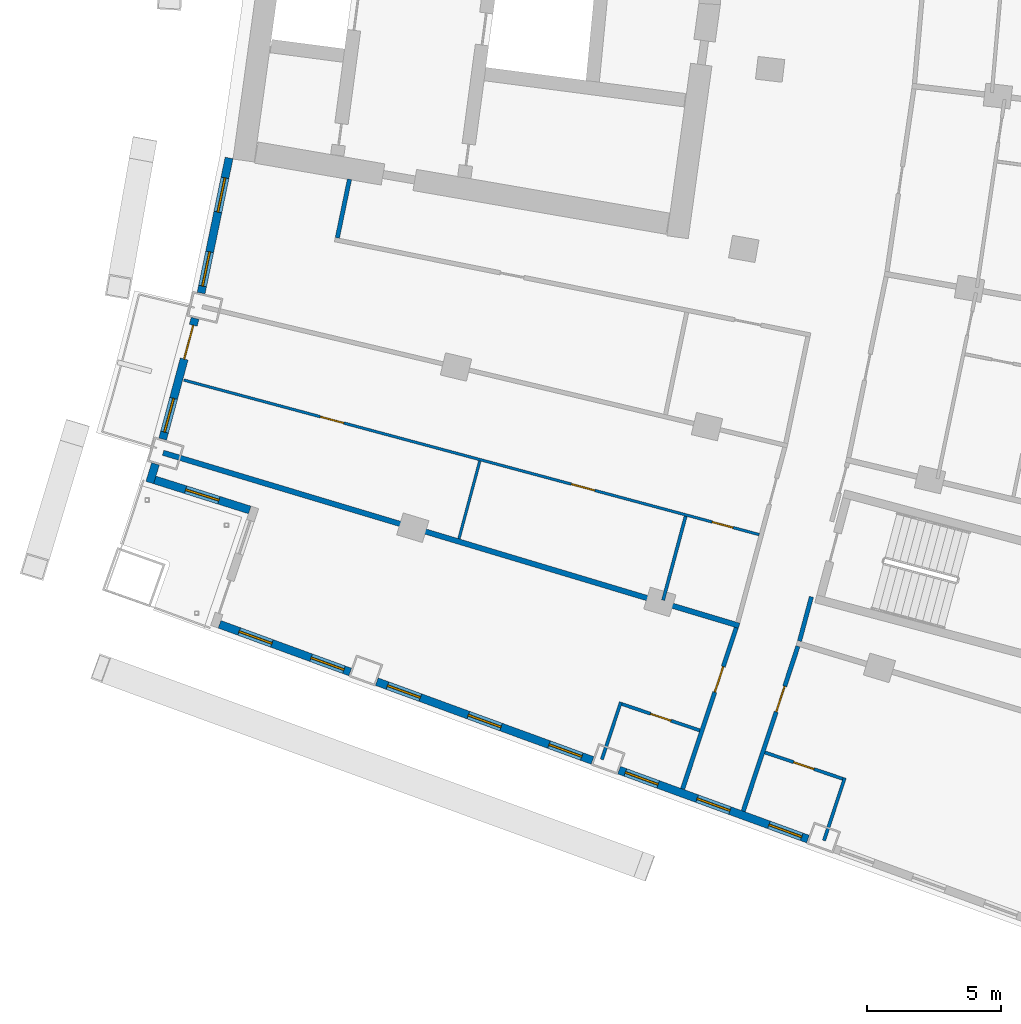
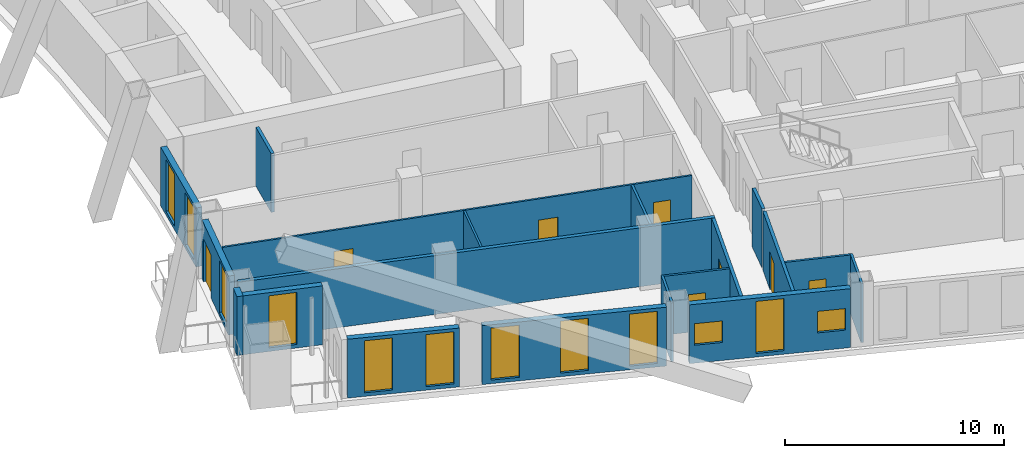
# One storey, part 13 of 25: 19 walls, 12 windows, 8 doors, 20 openings.
"""IFC4 building model written with IfcOpenShell, lengths in metres."""

from ifc_helpers import new_model, si_unit, direction, frame, frame_2d, origin, place, context, subcontext, project, spatial, rectangle, extrude, material, layer, layer_set, type_object, element, fill, save


model = new_model("IFC4")

# Units and contexts
model_context = context("Model", 3, precision=1e-05, world=origin(), true_north=direction((0.0, 1.0)))
body_context = subcontext(model_context, "Body", "Model", "MODEL_VIEW")
ifc_project = project(units=[si_unit("LENGTHUNIT", "METRE"), si_unit("AREAUNIT", "SQUARE_METRE"), si_unit("VOLUMEUNIT", "CUBIC_METRE"), si_unit("PLANEANGLEUNIT", "RADIAN"), si_unit("MASSUNIT", "GRAM", prefix="KILO")], contexts=[model_context])

# Site, building, storey
site_placement = place(None, origin())
site = spatial("IfcSite", under=ifc_project, at=site_placement, CompositionType="ELEMENT")
building_placement = place(site_placement, origin())
building = spatial("IfcBuilding", under=site, at=building_placement, Name="Alderwake Tower", CompositionType="ELEMENT")
storey_placement = place(building_placement, frame((0.0, 0.0, 93.199951171875)))
storey = spatial("IfcBuildingStorey", under=building, at=storey_placement, Name="L22", CompositionType="ELEMENT", Elevation=93.199951171875)

# Wall
ifc_material_1 = material(Name="Gypsum board on metal studs, rated")
ifc_layer_1 = layer(ifc_material_1, 0.159912109375)
ifc_layer_set_1 = layer_set([ifc_layer_1], Name="Corridor wall 160")
wall_type_1 = type_object("IfcWallType", Name="Corridor wall 160", PredefinedType="PARTITIONING", material=ifc_layer_set_1)
wall_1_placement = place(storey_placement, frame((19.35888671875, 43.430908203125, 0.0), z_axis=(0.0, 0.0, 1.0), x_axis=(-0.202554916658, -0.979270905183, 0.0)))
element("IfcWall", 1, at=wall_1_placement, inside=storey, type_object=wall_type_1, Name="WL/L22/W22", PredefinedType="PARTITIONING", context=body_context, shape_type="SweptSolid", body=[
    extrude(rectangle(XDim=2.229736328125, YDim=0.159912109375, at=frame_2d((1.11474609375, 0.0))), origin(), (0.0, 0.0, 1.0), 3.280029296875),
])

# Wall, opening, door
wall_2_placement = place(storey_placement, frame((31.7548828125, 20.739013671875, 0.0), z_axis=(0.0, 0.0, 1.0), x_axis=(0.31554473692, 0.948910701279, 0.0)))
wall_2 = element("IfcWall", 2, at=wall_2_placement, inside=storey, type_object=wall_type_1, Name="WL/L22/W24", PredefinedType="PARTITIONING", context=body_context, shape_type="SweptSolid", body=[
    extrude(rectangle(XDim=6.327392578125, YDim=0.159912109375, at=frame_2d((3.16357421875, 0.0))), origin(), (0.0, 0.0, 1.0), 3.280029296875),
])
opening_1_placement = place(wall_2_placement, frame((3.799072265625, 0.0, 0.0)))
opening_1 = element("IfcOpeningElement", 3, at=opening_1_placement, cuts=wall_2, Name="Opening R06-U12.1", PredefinedType="OPENING", context=body_context, shape_type="SweptSolid", body=[
    extrude(rectangle(XDim=1.0, YDim=2.10009765625, at=frame_2d((0.5, 1.050048828125))), frame((0.0, 0.08984375, 0.0), z_axis=(0.0, -1.0, 0.0), x_axis=(1.0, 0.0, 0.0)), (0.0, 0.0, 1.0), 0.179931640625),
])
ifc_material_2 = material(Name="Solid timber leaf in steel frame", Category="steel")
door_type_1 = type_object("IfcDoorType", Name="Flat entrance door 1000 fire-rated", OperationType="SINGLE_SWING_LEFT", PredefinedType="DOOR", material=ifc_material_2)
door_1_placement = place(opening_1_placement, origin())
door_1 = element("IfcDoor", 4, at=door_1_placement, inside=storey, type_object=door_type_1, Name="DR/L22/U12.1", OperationType="SINGLE_SWING_LEFT", OverallHeight=2.10009765625, OverallWidth=1.0, PredefinedType="DOOR", context=body_context, shape_type="SweptSolid", body=[
    extrude(rectangle(XDim=1.0, YDim=2.10009765625, at=frame_2d((0.5, 1.050048828125))), frame((0.0, 0.02490234375, 0.0), z_axis=(0.0, -1.0, 0.0), x_axis=(1.0, 0.0, 0.0)), (0.0, 0.0, 1.0), 0.050048828125),
])
fill(opening_1, door_1)

wall_3_placement = place(storey_placement, frame((36.049560546875, 26.052978515625, 0.0), z_axis=(0.0, 0.0, 1.0), x_axis=(-0.315151894598, -0.949041244273, 0.0)))
wall_3 = element("IfcWall", 5, at=wall_3_placement, inside=storey, type_object=wall_type_1, Name="WL/L22/W27", PredefinedType="PARTITIONING", context=body_context, shape_type="SweptSolid", body=[
    extrude(rectangle(XDim=6.468505859375, YDim=0.159912109375, at=frame_2d((3.234375, 0.0))), origin(), (0.0, 0.0, 1.0), 3.280029296875),
])
opening_2_placement = place(wall_3_placement, frame((1.570068359375, 0.0, 0.0)))
opening_2 = element("IfcOpeningElement", 6, at=opening_2_placement, cuts=wall_3, Name="Opening R06-U03.1", PredefinedType="OPENING", context=body_context, shape_type="SweptSolid", body=[
    extrude(rectangle(XDim=1.0, YDim=2.10009765625, at=frame_2d((0.5, 1.050048828125))), frame((0.0, 0.08984375, 0.0), z_axis=(0.0, -1.0, 0.0), x_axis=(1.0, 0.0, 0.0)), (0.0, 0.0, 1.0), 0.179931640625),
])
door_2_placement = place(opening_2_placement, origin())
door_2 = element("IfcDoor", 7, at=door_2_placement, inside=storey, type_object=door_type_1, Name="DR/L22/U03.1", OperationType="SINGLE_SWING_LEFT", OverallHeight=2.10009765625, OverallWidth=1.0, PredefinedType="DOOR", context=body_context, shape_type="SweptSolid", body=[
    extrude(rectangle(XDim=1.0, YDim=2.10009765625, at=frame_2d((0.5, 1.050048828125))), frame((0.0, 0.02490234375, 0.0), z_axis=(0.0, -1.0, 0.0), x_axis=(1.0, 0.0, 0.0)), (0.0, 0.0, 1.0), 0.050048828125),
])
fill(opening_2, door_2)

# Walls
wall_4_placement = place(storey_placement, frame((36.10693359375, 26.24462890625, 0.0), z_axis=(0.0, 0.0, 1.0), x_axis=(0.259346865847, 0.965784242559, 0.0)))
element("IfcWall", 8, at=wall_4_placement, inside=storey, type_object=wall_type_1, Name="WL/L22/W29", PredefinedType="PARTITIONING", context=body_context, shape_type="SweptSolid", body=[
    extrude(rectangle(XDim=1.704833984375, YDim=0.159912109375, at=frame_2d((0.8525390625, 0.0))), origin(), (0.0, 0.0, 1.0), 3.280029296875),
])
ifc_material_3 = material(Name="Precast concrete C50/60 spandrel panel", Category="concrete")
ifc_layer_2 = layer(ifc_material_3, 0.300048828125)
ifc_layer_set_2 = layer_set([ifc_layer_2], Name="External wall EW1 Precast concrete C50/60 spandrel")
wall_type_2 = type_object("IfcWallType", Name="External wall EW1 Precast concrete C50/60 spandrel", PredefinedType="SOLIDWALL", material=ifc_layer_set_2)
wall_5_placement = place(storey_placement, frame((12.14013671875, 32.83837890625, 0.0), z_axis=(0.0, 0.0, 1.0), x_axis=(-0.294604532955, -0.955619259518, 0.0)))
element("IfcWall", 9, at=wall_5_placement, inside=storey, type_object=wall_type_2, Name="External wall 1", PredefinedType="SOLIDWALL", context=body_context, shape_type="SweptSolid", body=[
    extrude(rectangle(XDim=0.7275390625, YDim=0.300048828125, at=frame_2d((0.36376953125, 0.0))), origin(), (0.0, 0.0, 1.0), 3.280029296875),
])

# Wall, openings, windows
wall_6_placement = place(storey_placement, frame((14.878173828125, 44.223388671875, 0.0), z_axis=(0.0, 0.0, 1.0), x_axis=(-0.202723539143, -0.979236011734, 0.0)))
wall_6 = element("IfcWall", 10, at=wall_6_placement, inside=storey, type_object=wall_type_2, Name="External wall 35", PredefinedType="SOLIDWALL", context=body_context, shape_type="SweptSolid", body=[
    extrude(rectangle(XDim=5.134033203125, YDim=0.300048828125, at=frame_2d((2.56689453125, 0.0))), origin(), (0.0, 0.0, 1.0), 3.280029296875),
])
opening_3_placement = place(wall_6_placement, frame((0.75634765625, 0.0, 0.199951171875)))
opening_3 = element("IfcOpeningElement", 11, at=opening_3_placement, cuts=wall_6, Name="Opening W1", PredefinedType="OPENING", context=body_context, shape_type="SweptSolid", body=[
    extrude(rectangle(XDim=1.300048828125, YDim=2.89990234375, at=frame_2d((0.64990234375, 1.449951171875))), frame((0.0, 0.159912109375, 0.0), z_axis=(0.0, -1.0, 0.0), x_axis=(1.0, 0.0, 0.0)), (0.0, 0.0, 1.0), 0.320068359375),
])
opening_4_placement = place(wall_6_placement, frame((3.569091796875, 0.0, 0.199951171875)))
opening_4 = element("IfcOpeningElement", 12, at=opening_4_placement, cuts=wall_6, Name="Opening W1", PredefinedType="OPENING", context=body_context, shape_type="SweptSolid", body=[
    extrude(rectangle(XDim=1.300048828125, YDim=2.89990234375, at=frame_2d((0.64990234375, 1.449951171875))), frame((0.0, 0.159912109375, 0.0), z_axis=(0.0, -1.0, 0.0), x_axis=(1.0, 0.0, 0.0)), (0.0, 0.0, 1.0), 0.320068359375),
])
ifc_material_4 = material(Name="Bronze tinted glass in aluminium frame", Category="aluminium")
window_type_1 = type_object("IfcWindowType", Name="Window W1 tall fixed and vent", PartitioningType="DOUBLE_PANEL_VERTICAL", PredefinedType="WINDOW", material=ifc_material_4)
window_1_placement = place(opening_3_placement, origin())
window_1 = element("IfcWindow", 13, at=window_1_placement, inside=storey, type_object=window_type_1, Name="Window W1 tall fixed and vent", OverallHeight=2.89990234375, OverallWidth=1.300048828125, PartitioningType="DOUBLE_PANEL_VERTICAL", PredefinedType="WINDOW", context=body_context, shape_type="SweptSolid", body=[
    extrude(rectangle(XDim=1.300048828125, YDim=2.89990234375, at=frame_2d((0.64990234375, 1.449951171875))), frame((0.0, 0.030029296875, 0.0), z_axis=(0.0, -1.0, 0.0), x_axis=(1.0, 0.0, 0.0)), (0.0, 0.0, 1.0), 0.06005859375),
])
fill(opening_3, window_1)
window_2_placement = place(opening_4_placement, origin())
window_2 = element("IfcWindow", 14, at=window_2_placement, inside=storey, type_object=window_type_1, Name="Window W1 tall fixed and vent", OverallHeight=2.89990234375, OverallWidth=1.300048828125, PartitioningType="DOUBLE_PANEL_VERTICAL", PredefinedType="WINDOW", context=body_context, shape_type="SweptSolid", body=[
    extrude(rectangle(XDim=1.300048828125, YDim=2.89990234375, at=frame_2d((0.64990234375, 1.449951171875))), frame((0.0, 0.030029296875, 0.0), z_axis=(0.0, -1.0, 0.0), x_axis=(1.0, 0.0, 0.0)), (0.0, 0.0, 1.0), 0.06005859375),
])
fill(opening_4, window_2)

# Wall, openings, door, window
wall_7_placement = place(storey_placement, frame((13.61328125, 38.254150390625, 0.0), z_axis=(0.0, 0.0, 1.0), x_axis=(-0.259468933642, -0.965751454814, 0.0)))
wall_7 = element("IfcWall", 15, at=wall_7_placement, inside=storey, type_object=wall_type_2, Name="External wall 36", PredefinedType="SOLIDWALL", context=body_context, shape_type="SweptSolid", body=[
    extrude(rectangle(XDim=4.65087890625, YDim=0.300048828125, at=frame_2d((2.325439453125, 0.0))), origin(), (0.0, 0.0, 1.0), 3.280029296875),
])
opening_5_placement = place(wall_7_placement, frame((0.26708984375, 0.0, 0.0)))
opening_5 = element("IfcOpeningElement", 16, at=opening_5_placement, cuts=wall_7, Name="Opening D15", PredefinedType="OPENING", context=body_context, shape_type="SweptSolid", body=[
    extrude(rectangle(XDim=1.300048828125, YDim=2.39990234375, at=frame_2d((0.64990234375, 1.199951171875))), frame((0.0, 0.159912109375, 0.0), z_axis=(0.0, -1.0, 0.0), x_axis=(1.0, 0.0, 0.0)), (0.0, 0.0, 1.0), 0.320068359375),
])
opening_6_placement = place(wall_7_placement, frame((3.083984375, 0.0, 0.199951171875)))
opening_6 = element("IfcOpeningElement", 17, at=opening_6_placement, cuts=wall_7, Name="Opening W1", PredefinedType="OPENING", context=body_context, shape_type="SweptSolid", body=[
    extrude(rectangle(XDim=1.300048828125, YDim=2.89990234375, at=frame_2d((0.64990234375, 1.449951171875))), frame((0.0, 0.159912109375, 0.0), z_axis=(0.0, -1.0, 0.0), x_axis=(1.0, 0.0, 0.0)), (0.0, 0.0, 1.0), 0.320068359375),
])
ifc_material_5 = material(Name="Bronze tinted glass in aluminium frame", Category="aluminium")
door_type_2 = type_object("IfcDoorType", Name="Balcony door BD sliding", OperationType="SLIDING_TO_LEFT", PredefinedType="DOOR", material=ifc_material_5)
door_3_placement = place(opening_5_placement, origin())
door_3 = element("IfcDoor", 18, at=door_3_placement, inside=storey, type_object=door_type_2, Name="Door D15", OperationType="SLIDING_TO_LEFT", OverallHeight=2.39990234375, OverallWidth=1.300048828125, PredefinedType="DOOR", context=body_context, shape_type="SweptSolid", body=[
    extrude(rectangle(XDim=1.300048828125, YDim=2.39990234375, at=frame_2d((0.64990234375, 1.199951171875))), frame((0.0, 0.02490234375, 0.0), z_axis=(0.0, -1.0, 0.0), x_axis=(1.0, 0.0, 0.0)), (0.0, 0.0, 1.0), 0.050048828125),
])
fill(opening_5, door_3)
window_3_placement = place(opening_6_placement, origin())
window_3 = element("IfcWindow", 19, at=window_3_placement, inside=storey, type_object=window_type_1, Name="Window W1 tall fixed and vent", OverallHeight=2.89990234375, OverallWidth=1.300048828125, PartitioningType="DOUBLE_PANEL_VERTICAL", PredefinedType="WINDOW", context=body_context, shape_type="SweptSolid", body=[
    extrude(rectangle(XDim=1.300048828125, YDim=2.89990234375, at=frame_2d((0.64990234375, 1.449951171875))), frame((0.0, 0.030029296875, 0.0), z_axis=(0.0, -1.0, 0.0), x_axis=(1.0, 0.0, 0.0)), (0.0, 0.0, 1.0), 0.06005859375),
])
fill(opening_6, window_3)

# Wall, opening, window
ifc_material_6 = material(Name="Bronze metal cladding on lightweight framing")
ifc_layer_3 = layer(ifc_material_6, 0.300048828125)
ifc_layer_set_3 = layer_set([ifc_layer_3], Name="External wall EW2 bronze metal cladding")
wall_type_3 = type_object("IfcWallType", Name="External wall EW2 bronze metal cladding", PredefinedType="SOLIDWALL", material=ifc_layer_set_3)
wall_8_placement = place(storey_placement, frame((12.113037109375, 32.2412109375, 0.0), z_axis=(0.0, 0.0, 1.0), x_axis=(0.953458128271, -0.301525451054, 0.0)))
wall_8 = element("IfcWall", 20, at=wall_8_placement, inside=storey, type_object=wall_type_3, Name="External wall 2", PredefinedType="SOLIDWALL", context=body_context, shape_type="SweptSolid", body=[
    extrude(rectangle(XDim=3.705810546875, YDim=0.300048828125, at=frame_2d((1.85302734375, 0.0))), origin(), (0.0, 0.0, 1.0), 3.280029296875),
])
opening_7_placement = place(wall_8_placement, frame((1.202880859375, 0.0, 0.199951171875)))
opening_7 = element("IfcOpeningElement", 21, at=opening_7_placement, cuts=wall_8, Name="Opening W1", PredefinedType="OPENING", context=body_context, shape_type="SweptSolid", body=[
    extrude(rectangle(XDim=1.300048828125, YDim=2.89990234375, at=frame_2d((0.64990234375, 1.449951171875))), frame((0.0, 0.159912109375, 0.0), z_axis=(0.0, -1.0, 0.0), x_axis=(1.0, 0.0, 0.0)), (0.0, 0.0, 1.0), 0.320068359375),
])
window_4_placement = place(opening_7_placement, origin())
window_4 = element("IfcWindow", 22, at=window_4_placement, inside=storey, type_object=window_type_1, Name="Window W1 tall fixed and vent", OverallHeight=2.89990234375, OverallWidth=1.300048828125, PartitioningType="DOUBLE_PANEL_VERTICAL", PredefinedType="WINDOW", context=body_context, shape_type="SweptSolid", body=[
    extrude(rectangle(XDim=1.300048828125, YDim=2.89990234375, at=frame_2d((0.64990234375, 1.449951171875))), frame((0.0, 0.030029296875, 0.0), z_axis=(0.0, -1.0, 0.0), x_axis=(1.0, 0.0, 0.0)), (0.0, 0.0, 1.0), 0.06005859375),
])
fill(opening_7, window_4)

# Wall, openings, windows
wall_9_placement = place(storey_placement, frame((14.523681640625, 26.86865234375, 0.0), z_axis=(0.0, 0.0, 1.0), x_axis=(0.939378067131, -0.342883138974, 0.0)))
wall_9 = element("IfcWall", 23, at=wall_9_placement, inside=storey, type_object=wall_type_3, Name="External wall 4", PredefinedType="SOLIDWALL", context=body_context, shape_type="SweptSolid", body=[
    extrude(rectangle(XDim=5.17431640625, YDim=0.300048828125, at=frame_2d((2.587158203125, 0.0))), origin(), (0.0, 0.0, 1.0), 3.280029296875),
])
opening_8_placement = place(wall_9_placement, frame((0.775390625, 0.0, 0.199951171875)))
opening_8 = element("IfcOpeningElement", 24, at=opening_8_placement, cuts=wall_9, Name="Opening W1", PredefinedType="OPENING", context=body_context, shape_type="SweptSolid", body=[
    extrude(rectangle(XDim=1.300048828125, YDim=2.89990234375, at=frame_2d((0.64990234375, 1.449951171875))), frame((0.0, 0.159912109375, 0.0), z_axis=(0.0, -1.0, 0.0), x_axis=(1.0, 0.0, 0.0)), (0.0, 0.0, 1.0), 0.320068359375),
])
opening_9_placement = place(wall_9_placement, frame((3.626220703125, 0.0, 0.199951171875)))
opening_9 = element("IfcOpeningElement", 25, at=opening_9_placement, cuts=wall_9, Name="Opening W1", PredefinedType="OPENING", context=body_context, shape_type="SweptSolid", body=[
    extrude(rectangle(XDim=1.300048828125, YDim=2.89990234375, at=frame_2d((0.64990234375, 1.449951171875))), frame((0.0, 0.159912109375, 0.0), z_axis=(0.0, -1.0, 0.0), x_axis=(1.0, 0.0, 0.0)), (0.0, 0.0, 1.0), 0.320068359375),
])
window_5_placement = place(opening_8_placement, origin())
window_5 = element("IfcWindow", 26, at=window_5_placement, inside=storey, type_object=window_type_1, Name="Window W1 tall fixed and vent", OverallHeight=2.89990234375, OverallWidth=1.300048828125, PartitioningType="DOUBLE_PANEL_VERTICAL", PredefinedType="WINDOW", context=body_context, shape_type="SweptSolid", body=[
    extrude(rectangle(XDim=1.300048828125, YDim=2.89990234375, at=frame_2d((0.64990234375, 1.449951171875))), frame((0.0, 0.030029296875, 0.0), z_axis=(0.0, -1.0, 0.0), x_axis=(1.0, 0.0, 0.0)), (0.0, 0.0, 1.0), 0.06005859375),
])
fill(opening_8, window_5)
window_6_placement = place(opening_9_placement, origin())
window_6 = element("IfcWindow", 27, at=window_6_placement, inside=storey, type_object=window_type_1, Name="Window W1 tall fixed and vent", OverallHeight=2.89990234375, OverallWidth=1.300048828125, PartitioningType="DOUBLE_PANEL_VERTICAL", PredefinedType="WINDOW", context=body_context, shape_type="SweptSolid", body=[
    extrude(rectangle(XDim=1.300048828125, YDim=2.89990234375, at=frame_2d((0.64990234375, 1.449951171875))), frame((0.0, 0.030029296875, 0.0), z_axis=(0.0, -1.0, 0.0), x_axis=(1.0, 0.0, 0.0)), (0.0, 0.0, 1.0), 0.06005859375),
])
fill(opening_9, window_6)

wall_10_placement = place(storey_placement, frame((20.375244140625, 24.73291015625, 0.0), z_axis=(0.0, 0.0, 1.0), x_axis=(0.939364770023, -0.342919566137, 0.0)))
wall_10 = element("IfcWall", 28, at=wall_10_placement, inside=storey, type_object=wall_type_3, Name="External wall 5", PredefinedType="SOLIDWALL", context=body_context, shape_type="SweptSolid", body=[
    extrude(rectangle(XDim=8.54541015625, YDim=0.300048828125, at=frame_2d((4.272705078125, 0.0))), origin(), (0.0, 0.0, 1.0), 3.280029296875),
])
opening_10_placement = place(wall_10_placement, frame((0.422607421875, 0.0, 0.199951171875)))
opening_10 = element("IfcOpeningElement", 29, at=opening_10_placement, cuts=wall_10, Name="Opening W1", PredefinedType="OPENING", context=body_context, shape_type="SweptSolid", body=[
    extrude(rectangle(XDim=1.300048828125, YDim=2.89990234375, at=frame_2d((0.64990234375, 1.449951171875))), frame((0.0, 0.159912109375, 0.0), z_axis=(0.0, -1.0, 0.0), x_axis=(1.0, 0.0, 0.0)), (0.0, 0.0, 1.0), 0.320068359375),
])
opening_11_placement = place(wall_10_placement, frame((3.622802734375, 0.0, 0.199951171875)))
opening_11 = element("IfcOpeningElement", 30, at=opening_11_placement, cuts=wall_10, Name="Opening W1", PredefinedType="OPENING", context=body_context, shape_type="SweptSolid", body=[
    extrude(rectangle(XDim=1.300048828125, YDim=2.89990234375, at=frame_2d((0.64990234375, 1.449951171875))), frame((0.0, 0.159912109375, 0.0), z_axis=(0.0, -1.0, 0.0), x_axis=(1.0, 0.0, 0.0)), (0.0, 0.0, 1.0), 0.320068359375),
])
opening_12_placement = place(wall_10_placement, frame((6.82275390625, 0.0, 0.199951171875)))
opening_12 = element("IfcOpeningElement", 31, at=opening_12_placement, cuts=wall_10, Name="Opening W1", PredefinedType="OPENING", context=body_context, shape_type="SweptSolid", body=[
    extrude(rectangle(XDim=1.300048828125, YDim=2.89990234375, at=frame_2d((0.64990234375, 1.449951171875))), frame((0.0, 0.159912109375, 0.0), z_axis=(0.0, -1.0, 0.0), x_axis=(1.0, 0.0, 0.0)), (0.0, 0.0, 1.0), 0.320068359375),
])
window_7_placement = place(opening_10_placement, origin())
window_7 = element("IfcWindow", 32, at=window_7_placement, inside=storey, type_object=window_type_1, Name="Window W1 tall fixed and vent", OverallHeight=2.89990234375, OverallWidth=1.300048828125, PartitioningType="DOUBLE_PANEL_VERTICAL", PredefinedType="WINDOW", context=body_context, shape_type="SweptSolid", body=[
    extrude(rectangle(XDim=1.300048828125, YDim=2.89990234375, at=frame_2d((0.64990234375, 1.449951171875))), frame((0.0, 0.030029296875, 0.0), z_axis=(0.0, -1.0, 0.0), x_axis=(1.0, 0.0, 0.0)), (0.0, 0.0, 1.0), 0.06005859375),
])
fill(opening_10, window_7)
window_8_placement = place(opening_11_placement, origin())
window_8 = element("IfcWindow", 33, at=window_8_placement, inside=storey, type_object=window_type_1, Name="Window W1 tall fixed and vent", OverallHeight=2.89990234375, OverallWidth=1.300048828125, PartitioningType="DOUBLE_PANEL_VERTICAL", PredefinedType="WINDOW", context=body_context, shape_type="SweptSolid", body=[
    extrude(rectangle(XDim=1.300048828125, YDim=2.89990234375, at=frame_2d((0.64990234375, 1.449951171875))), frame((0.0, 0.030029296875, 0.0), z_axis=(0.0, -1.0, 0.0), x_axis=(1.0, 0.0, 0.0)), (0.0, 0.0, 1.0), 0.06005859375),
])
fill(opening_11, window_8)
window_9_placement = place(opening_12_placement, origin())
window_9 = element("IfcWindow", 34, at=window_9_placement, inside=storey, type_object=window_type_1, Name="Window W1 tall fixed and vent", OverallHeight=2.89990234375, OverallWidth=1.300048828125, PartitioningType="DOUBLE_PANEL_VERTICAL", PredefinedType="WINDOW", context=body_context, shape_type="SweptSolid", body=[
    extrude(rectangle(XDim=1.300048828125, YDim=2.89990234375, at=frame_2d((0.64990234375, 1.449951171875))), frame((0.0, 0.030029296875, 0.0), z_axis=(0.0, -1.0, 0.0), x_axis=(1.0, 0.0, 0.0)), (0.0, 0.0, 1.0), 0.06005859375),
])
fill(opening_12, window_9)

wall_11_placement = place(storey_placement, frame((29.39306640625, 21.44091796875, 0.0), z_axis=(0.0, 0.0, 1.0), x_axis=(0.939370505087, -0.342903855582, 0.0)))
wall_11 = element("IfcWall", 35, at=wall_11_placement, inside=storey, type_object=wall_type_3, Name="External wall 6", PredefinedType="SOLIDWALL", context=body_context, shape_type="SweptSolid", body=[
    extrude(rectangle(XDim=7.479248046875, YDim=0.300048828125, at=frame_2d((3.73974609375, 0.0))), origin(), (0.0, 0.0, 1.0), 3.280029296875),
])
opening_13_placement = place(wall_11_placement, frame((0.2451171875, 0.0, 1.0)))
opening_13 = element("IfcOpeningElement", 36, at=opening_13_placement, cuts=wall_11, Name="Opening W2", PredefinedType="OPENING", context=body_context, shape_type="SweptSolid", body=[
    extrude(rectangle(XDim=1.300048828125, YDim=1.199951171875, at=frame_2d((0.64990234375, 0.60009765625))), frame((0.0, 0.159912109375, 0.0), z_axis=(0.0, -1.0, 0.0), x_axis=(1.0, 0.0, 0.0)), (0.0, 0.0, 1.0), 0.320068359375),
])
opening_14_placement = place(wall_11_placement, frame((3.089599609375, 0.0, 0.199951171875)))
opening_14 = element("IfcOpeningElement", 37, at=opening_14_placement, cuts=wall_11, Name="Opening W1", PredefinedType="OPENING", context=body_context, shape_type="SweptSolid", body=[
    extrude(rectangle(XDim=1.300048828125, YDim=2.89990234375, at=frame_2d((0.64990234375, 1.449951171875))), frame((0.0, 0.159912109375, 0.0), z_axis=(0.0, -1.0, 0.0), x_axis=(1.0, 0.0, 0.0)), (0.0, 0.0, 1.0), 0.320068359375),
])
opening_15_placement = place(wall_11_placement, frame((5.93408203125, 0.0, 1.0)))
opening_15 = element("IfcOpeningElement", 38, at=opening_15_placement, cuts=wall_11, Name="Opening W2", PredefinedType="OPENING", context=body_context, shape_type="SweptSolid", body=[
    extrude(rectangle(XDim=1.300048828125, YDim=1.199951171875, at=frame_2d((0.64990234375, 0.60009765625))), frame((0.0, 0.159912109375, 0.0), z_axis=(0.0, -1.0, 0.0), x_axis=(1.0, 0.0, 0.0)), (0.0, 0.0, 1.0), 0.320068359375),
])
window_10_placement = place(opening_14_placement, origin())
window_10 = element("IfcWindow", 39, at=window_10_placement, inside=storey, type_object=window_type_1, Name="Window W1 tall fixed and vent", OverallHeight=2.89990234375, OverallWidth=1.300048828125, PartitioningType="DOUBLE_PANEL_VERTICAL", PredefinedType="WINDOW", context=body_context, shape_type="SweptSolid", body=[
    extrude(rectangle(XDim=1.300048828125, YDim=2.89990234375, at=frame_2d((0.64990234375, 1.449951171875))), frame((0.0, 0.030029296875, 0.0), z_axis=(0.0, -1.0, 0.0), x_axis=(1.0, 0.0, 0.0)), (0.0, 0.0, 1.0), 0.06005859375),
])
fill(opening_14, window_10)
ifc_material_7 = material(Name="Bronze tinted glass in aluminium frame", Category="aluminium")
window_type_2 = type_object("IfcWindowType", Name="Window W2 kitchen and bath", PartitioningType="SINGLE_PANEL", PredefinedType="WINDOW", material=ifc_material_7)
window_11_placement = place(opening_13_placement, origin())
window_11 = element("IfcWindow", 40, at=window_11_placement, inside=storey, type_object=window_type_2, Name="Window W2 kitchen and bath", OverallHeight=1.199951171875, OverallWidth=1.300048828125, PartitioningType="SINGLE_PANEL", PredefinedType="WINDOW", context=body_context, shape_type="SweptSolid", body=[
    extrude(rectangle(XDim=1.300048828125, YDim=1.199951171875, at=frame_2d((0.64990234375, 0.60009765625))), frame((0.0, 0.030029296875, 0.0), z_axis=(0.0, -1.0, 0.0), x_axis=(1.0, 0.0, 0.0)), (0.0, 0.0, 1.0), 0.06005859375),
])
fill(opening_13, window_11)
window_12_placement = place(opening_15_placement, origin())
window_12 = element("IfcWindow", 41, at=window_12_placement, inside=storey, type_object=window_type_2, Name="Window W2 kitchen and bath", OverallHeight=1.199951171875, OverallWidth=1.300048828125, PartitioningType="SINGLE_PANEL", PredefinedType="WINDOW", context=body_context, shape_type="SweptSolid", body=[
    extrude(rectangle(XDim=1.300048828125, YDim=1.199951171875, at=frame_2d((0.64990234375, 0.60009765625))), frame((0.0, 0.030029296875, 0.0), z_axis=(0.0, -1.0, 0.0), x_axis=(1.0, 0.0, 0.0)), (0.0, 0.0, 1.0), 0.06005859375),
])
fill(opening_15, window_12)

# Wall
ifc_material_8 = material(Name="Dense block masonry wall", Category="masonry")
ifc_layer_4 = layer(ifc_material_8, 0.199951171875)
ifc_layer_set_4 = layer_set([ifc_layer_4], Name="Party wall 200")
wall_type_4 = type_object("IfcWallType", Name="Party wall 200", PredefinedType="SOLIDWALL", material=ifc_layer_set_4)
wall_12_placement = place(storey_placement, frame((33.859619140625, 26.81494140625, 0.0), z_axis=(0.0, 0.0, 1.0), x_axis=(-0.95775179957, 0.287596054251, 0.0)))
element("IfcWall", 42, at=wall_12_placement, inside=storey, type_object=wall_type_4, Name="WL/L22/W03", PredefinedType="SOLIDWALL", context=body_context, shape_type="SweptSolid", body=[
    extrude(rectangle(XDim=22.382080078125, YDim=0.199951171875, at=frame_2d((11.19091796875, 0.0))), origin(), (0.0, 0.0, 1.0), 3.280029296875),
])

# Wall, openings, doors
ifc_material_9 = material(Name="Gypsum board on metal studs")
ifc_layer_5 = layer(ifc_material_9, 0.10009765625)
ifc_layer_set_5 = layer_set([ifc_layer_5], Name="Unit partition 100")
wall_type_5 = type_object("IfcWallType", Name="Unit partition 100", PredefinedType="PARTITIONING", material=ifc_layer_set_5)
wall_13_placement = place(storey_placement, frame((34.605712890625, 30.206787109375, 0.0), z_axis=(0.0, 0.0, 1.0), x_axis=(-0.965767846078, 0.259407917152, 0.0)))
wall_13 = element("IfcWall", 43, at=wall_13_placement, inside=storey, type_object=wall_type_5, Name="WL/L22/W70", PredefinedType="PARTITIONING", context=body_context, shape_type="SweptSolid", body=[
    extrude(rectangle(XDim=22.170654296875, YDim=0.10009765625, at=frame_2d((11.08544921875, 0.0))), origin(), (0.0, 0.0, 1.0), 3.280029296875),
])
opening_16_placement = place(wall_13_placement, frame((6.335205078125, 0.0, 0.0)))
opening_16 = element("IfcOpeningElement", 44, at=opening_16_placement, cuts=wall_13, Name="Opening R06-U13.1", PredefinedType="OPENING", context=body_context, shape_type="SweptSolid", body=[
    extrude(rectangle(XDim=0.89990234375, YDim=2.10009765625, at=frame_2d((0.449951171875, 1.050048828125))), frame((0.0, 0.06005859375, 0.0), z_axis=(0.0, -1.0, 0.0), x_axis=(1.0, 0.0, 0.0)), (0.0, 0.0, 1.0), 0.1201171875),
])
opening_17_placement = place(wall_13_placement, frame((1.010009765625, 0.0, 0.0)))
opening_17 = element("IfcOpeningElement", 45, at=opening_17_placement, cuts=wall_13, Name="Opening R06-U13.3", PredefinedType="OPENING", context=body_context, shape_type="SweptSolid", body=[
    extrude(rectangle(XDim=0.800048828125, YDim=2.10009765625, at=frame_2d((0.39990234375, 1.050048828125))), frame((0.0, 0.06005859375, 0.0), z_axis=(0.0, -1.0, 0.0), x_axis=(1.0, 0.0, 0.0)), (0.0, 0.0, 1.0), 0.1201171875),
])
opening_18_placement = place(wall_13_placement, frame((16.010498046875, 0.0, 0.0)))
opening_18 = element("IfcOpeningElement", 46, at=opening_18_placement, cuts=wall_13, Name="Opening R06-U13.4", PredefinedType="OPENING", context=body_context, shape_type="SweptSolid", body=[
    extrude(rectangle(XDim=0.89990234375, YDim=2.10009765625, at=frame_2d((0.449951171875, 1.050048828125))), frame((0.0, 0.06005859375, 0.0), z_axis=(0.0, -1.0, 0.0), x_axis=(1.0, 0.0, 0.0)), (0.0, 0.0, 1.0), 0.1201171875),
])
ifc_material_10 = material(Name="Painted timber leaf", Category="wood")
door_type_3 = type_object("IfcDoorType", Name="Bathroom door 800", OperationType="SINGLE_SWING_LEFT", PredefinedType="DOOR", material=ifc_material_10)
door_4_placement = place(opening_17_placement, origin())
door_4 = element("IfcDoor", 47, at=door_4_placement, inside=storey, type_object=door_type_3, Name="DR/L22/U13.3", OperationType="SINGLE_SWING_LEFT", OverallHeight=2.10009765625, OverallWidth=0.800048828125, PredefinedType="DOOR", context=body_context, shape_type="SweptSolid", body=[
    extrude(rectangle(XDim=0.800048828125, YDim=2.10009765625, at=frame_2d((0.39990234375, 1.050048828125))), frame((0.0, 0.02490234375, 0.0), z_axis=(0.0, -1.0, 0.0), x_axis=(1.0, 0.0, 0.0)), (0.0, 0.0, 1.0), 0.050048828125),
])
fill(opening_17, door_4)
ifc_material_11 = material(Name="Painted timber leaf", Category="wood")
door_type_4 = type_object("IfcDoorType", Name="Room door 900", OperationType="SINGLE_SWING_LEFT", PredefinedType="DOOR", material=ifc_material_11)
door_5_placement = place(opening_16_placement, origin())
door_5 = element("IfcDoor", 48, at=door_5_placement, inside=storey, type_object=door_type_4, Name="DR/L22/U13.1", OperationType="SINGLE_SWING_LEFT", OverallHeight=2.10009765625, OverallWidth=0.89990234375, PredefinedType="DOOR", context=body_context, shape_type="SweptSolid", body=[
    extrude(rectangle(XDim=0.89990234375, YDim=2.10009765625, at=frame_2d((0.449951171875, 1.050048828125))), frame((0.0, 0.02490234375, 0.0), z_axis=(0.0, -1.0, 0.0), x_axis=(1.0, 0.0, 0.0)), (0.0, 0.0, 1.0), 0.050048828125),
])
fill(opening_16, door_5)
door_6_placement = place(opening_18_placement, origin())
door_6 = element("IfcDoor", 49, at=door_6_placement, inside=storey, type_object=door_type_4, Name="DR/L22/U13.4", OperationType="SINGLE_SWING_LEFT", OverallHeight=2.10009765625, OverallWidth=0.89990234375, PredefinedType="DOOR", context=body_context, shape_type="SweptSolid", body=[
    extrude(rectangle(XDim=0.89990234375, YDim=2.10009765625, at=frame_2d((0.449951171875, 1.050048828125))), frame((0.0, 0.02490234375, 0.0), z_axis=(0.0, -1.0, 0.0), x_axis=(1.0, 0.0, 0.0)), (0.0, 0.0, 1.0), 0.050048828125),
])
fill(opening_18, door_6)

# Walls
wall_14_placement = place(storey_placement, frame((24.208984375, 32.94580078125, 0.0), z_axis=(0.0, 0.0, 1.0), x_axis=(-0.259310212645, -0.965794084481, 0.0)))
element("IfcWall", 50, at=wall_14_placement, inside=storey, type_object=wall_type_5, Name="WL/L22/W71", PredefinedType="PARTITIONING", context=body_context, shape_type="SweptSolid", body=[
    extrude(rectangle(XDim=2.996826171875, YDim=0.10009765625, at=frame_2d((1.49853515625, 0.0))), origin(), (0.0, 0.0, 1.0), 3.280029296875),
])
ifc_material_12 = material(Name="Moisture resistant gypsum board on metal studs")
ifc_layer_6 = layer(ifc_material_12, 0.1201171875)
ifc_layer_set_6 = layer_set([ifc_layer_6], Name="Wet room partition 120")
wall_type_6 = type_object("IfcWallType", Name="Wet room partition 120", PredefinedType="PARTITIONING", material=ifc_layer_set_6)
wall_15_placement = place(storey_placement, frame((29.4609375, 23.975830078125, 0.0), z_axis=(0.0, 0.0, 1.0), x_axis=(-0.31580536125, -0.948823995168, 0.0)))
element("IfcWall", 51, at=wall_15_placement, inside=storey, type_object=wall_type_6, Name="WL/L22/W48", PredefinedType="PARTITIONING", context=body_context, shape_type="SweptSolid", body=[
    extrude(rectangle(XDim=2.25439453125, YDim=0.1201171875, at=frame_2d((1.127197265625, 0.0))), origin(), (0.0, 0.0, 1.0), 3.280029296875),
])
wall_16_placement = place(storey_placement, frame((31.867919921875, 30.8876953125, 0.0), z_axis=(0.0, 0.0, 1.0), x_axis=(-0.259149206489, -0.96583729933, 0.0)))
element("IfcWall", 52, at=wall_16_placement, inside=storey, type_object=wall_type_6, Name="WL/L22/W51", PredefinedType="PARTITIONING", context=body_context, shape_type="SweptSolid", body=[
    extrude(rectangle(XDim=3.2294921875, YDim=0.1201171875, at=frame_2d((1.61474609375, 0.0))), origin(), (0.0, 0.0, 1.0), 3.280029296875),
])

# Wall, opening, door
wall_17_placement = place(storey_placement, frame((32.396240234375, 22.918701171875, 0.0), z_axis=(0.0, 0.0, 1.0), x_axis=(-0.947164130145, 0.320749295505, 0.0)))
wall_17 = element("IfcWall", 53, at=wall_17_placement, inside=storey, type_object=wall_type_6, Name="WL/L22/W52", PredefinedType="PARTITIONING", context=body_context, shape_type="SweptSolid", body=[
    extrude(rectangle(XDim=3.05908203125, YDim=0.1201171875, at=frame_2d((1.529541015625, 0.0))), origin(), (0.0, 0.0, 1.0), 3.280029296875),
])
opening_19_placement = place(wall_17_placement, frame((1.12939453125, 0.0, 0.0)))
opening_19 = element("IfcOpeningElement", 54, at=opening_19_placement, cuts=wall_17, Name="Opening R06-U12.2", PredefinedType="OPENING", context=body_context, shape_type="SweptSolid", body=[
    extrude(rectangle(XDim=0.800048828125, YDim=2.10009765625, at=frame_2d((0.39990234375, 1.050048828125))), frame((0.0, 0.070068359375, 0.0), z_axis=(0.0, -1.0, 0.0), x_axis=(1.0, 0.0, 0.0)), (0.0, 0.0, 1.0), 0.14013671875),
])
door_7_placement = place(opening_19_placement, origin())
door_7 = element("IfcDoor", 55, at=door_7_placement, inside=storey, type_object=door_type_3, Name="DR/L22/U12.2", OperationType="SINGLE_SWING_LEFT", OverallHeight=2.10009765625, OverallWidth=0.800048828125, PredefinedType="DOOR", context=body_context, shape_type="SweptSolid", body=[
    extrude(rectangle(XDim=0.800048828125, YDim=2.10009765625, at=frame_2d((0.39990234375, 1.050048828125))), frame((0.0, 0.02490234375, 0.0), z_axis=(0.0, -1.0, 0.0), x_axis=(1.0, 0.0, 0.0)), (0.0, 0.0, 1.0), 0.050048828125),
])
fill(opening_19, door_7)

# Wall
wall_18_placement = place(storey_placement, frame((37.01708984375, 18.819091796875, 0.0), z_axis=(0.0, 0.0, 1.0), x_axis=(0.314739948462, 0.949177941612, 0.0)))
element("IfcWall", 56, at=wall_18_placement, inside=storey, type_object=wall_type_6, Name="WL/L22/W54", PredefinedType="PARTITIONING", context=body_context, shape_type="SweptSolid", body=[
    extrude(rectangle(XDim=2.462158203125, YDim=0.1201171875, at=frame_2d((1.23095703125, 0.0))), origin(), (0.0, 0.0, 1.0), 3.280029296875),
])

# Wall, opening, door
wall_19_placement = place(storey_placement, frame((37.71630859375, 21.1181640625, 0.0), z_axis=(0.0, 0.0, 1.0), x_axis=(-0.947164130145, 0.320749295505, 0.0)))
wall_19 = element("IfcWall", 57, at=wall_19_placement, inside=storey, type_object=wall_type_6, Name="WL/L22/W55", PredefinedType="PARTITIONING", context=body_context, shape_type="SweptSolid", body=[
    extrude(rectangle(XDim=3.05908203125, YDim=0.1201171875, at=frame_2d((1.529541015625, 0.0))), origin(), (0.0, 0.0, 1.0), 3.280029296875),
])
opening_20_placement = place(wall_19_placement, frame((1.12939453125, 0.0, 0.0)))
opening_20 = element("IfcOpeningElement", 58, at=opening_20_placement, cuts=wall_19, Name="Opening R06-U03.2", PredefinedType="OPENING", context=body_context, shape_type="SweptSolid", body=[
    extrude(rectangle(XDim=0.800048828125, YDim=2.10009765625, at=frame_2d((0.39990234375, 1.050048828125))), frame((0.0, 0.070068359375, 0.0), z_axis=(0.0, -1.0, 0.0), x_axis=(1.0, 0.0, 0.0)), (0.0, 0.0, 1.0), 0.14013671875),
])
door_8_placement = place(opening_20_placement, origin())
door_8 = element("IfcDoor", 59, at=door_8_placement, inside=storey, type_object=door_type_3, Name="DR/L22/U03.2", OperationType="SINGLE_SWING_LEFT", OverallHeight=2.10009765625, OverallWidth=0.800048828125, PredefinedType="DOOR", context=body_context, shape_type="SweptSolid", body=[
    extrude(rectangle(XDim=0.800048828125, YDim=2.10009765625, at=frame_2d((0.39990234375, 1.050048828125))), frame((0.0, 0.02490234375, 0.0), z_axis=(0.0, -1.0, 0.0), x_axis=(1.0, 0.0, 0.0)), (0.0, 0.0, 1.0), 0.050048828125),
])
fill(opening_20, door_8)

save(model, "model.ifc")
